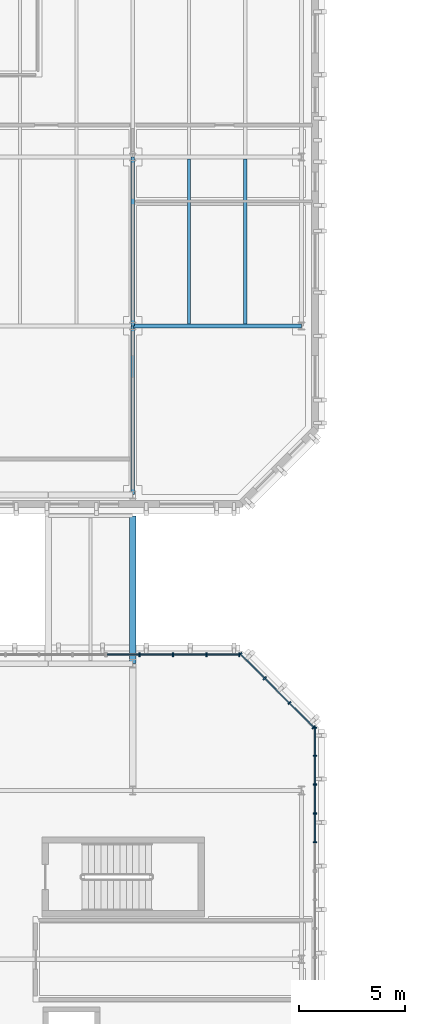
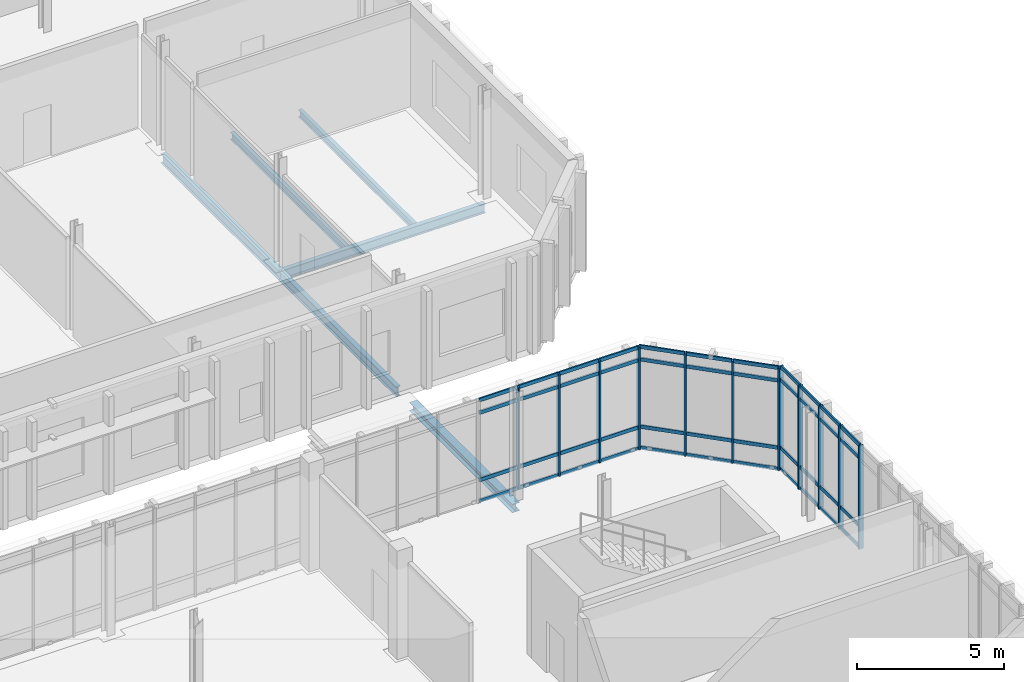
# One storey, part 20 of 62: 57 members, 6 beams, 3 elements without a shape of their own.
"""IFC4 building model written with IfcOpenShell, lengths in metres."""

from ifc_helpers import new_model, si_unit, direction, frame, origin, origin_2d, place, context, subcontext, project, spatial, rectangle, i_section, extrude, material, material_profile, profile_set, type_object, element, aggregate, save


model = new_model("IFC4")

# Units and contexts
model_context = context("Model", 3, precision=1e-05, world=origin(), true_north=direction((0.0, 1.0)))
body_context = subcontext(model_context, "Body", "Model", "MODEL_VIEW")
ifc_project = project(units=[si_unit("LENGTHUNIT", "METRE"), si_unit("AREAUNIT", "SQUARE_METRE"), si_unit("VOLUMEUNIT", "CUBIC_METRE"), si_unit("PLANEANGLEUNIT", "RADIAN"), si_unit("MASSUNIT", "GRAM", prefix="KILO")], contexts=[model_context])

# Site, building, storey
site_placement = place(None, origin())
site = spatial("IfcSite", under=ifc_project, at=site_placement, CompositionType="ELEMENT")
building_placement = place(site_placement, origin())
building = spatial("IfcBuilding", under=site, at=building_placement, Name="Cymarion Research Institute", CompositionType="ELEMENT")
storey_placement = place(building_placement, frame((0.0, 0.0, 18.300048828125)))
storey = spatial("IfcBuildingStorey", under=building, at=storey_placement, Name="L04", CompositionType="ELEMENT", Elevation=18.300048828125)

# Curtain wall, members
ifc_material_1 = material(Name="Anodised aluminium unitised curtain wall with Low-E glazing", Category="aluminium")
curtain_wall_type_1 = type_object("IfcCurtainWallType", Name="UNITISED CURTAIN WALL CW40 6820X4280", PredefinedType="NOTDEFINED", material=ifc_material_1)
curtain_wall_1_placement = place(storey_placement, origin())
curtain_wall_1 = element("IfcCurtainWall", 1, at=curtain_wall_1_placement, inside=storey, type_object=curtain_wall_type_1, Name="L04 V4 unitised curtain wall CW40 #180", PredefinedType="NOTDEFINED")
ifc_material_2 = material(Name="Anodised aluminium framing", Category="aluminium")
ifc_material_profile_1 = material_profile(ifc_material_2, rectangle(XDim=0.06005859375, YDim=0.179931640625, at=origin_2d()), Name="ALU MULLION 60x180")
ifc_profile_set_1 = profile_set([ifc_material_profile_1], Name="Anodised aluminium framing")
member_type_1 = type_object("IfcMemberType", Name="CURTAIN WALL MULLION ML01 60X180", PredefinedType="MULLION", material=ifc_profile_set_1)
member_1_placement = place(storey_placement, frame((47.22998046875, 69.04443359375, 0.0), z_axis=(0.0, 0.0, 1.0), x_axis=(0.0, 1.0, 0.0)))
member_1 = element("IfcMember", 2, at=member_1_placement, type_object=member_type_1, Name="CW40 mullion 2", PredefinedType="MULLION", context=body_context, shape_type="SweptSolid", body=[
    extrude(rectangle(XDim=0.06005859375, YDim=0.179931640625, at=origin_2d()), origin(), (0.0, 0.0, 1.0), 4.280029296875),
])
member_2_placement = place(storey_placement, frame((47.22998046875, 70.408203125, 0.0), z_axis=(0.0, 0.0, 1.0), x_axis=(0.0, 1.0, 0.0)))
member_2 = element("IfcMember", 3, at=member_2_placement, type_object=member_type_1, Name="CW40 mullion 3", PredefinedType="MULLION", context=body_context, shape_type="SweptSolid", body=[
    extrude(rectangle(XDim=0.06005859375, YDim=0.179931640625, at=origin_2d()), origin(), (0.0, 0.0, 1.0), 4.280029296875),
])
member_3_placement = place(storey_placement, frame((47.22998046875, 71.772216796875, 0.0), z_axis=(0.0, 0.0, 1.0), x_axis=(0.0, 1.0, 0.0)))
member_3 = element("IfcMember", 4, at=member_3_placement, type_object=member_type_1, Name="CW40 mullion 4", PredefinedType="MULLION", context=body_context, shape_type="SweptSolid", body=[
    extrude(rectangle(XDim=0.06005859375, YDim=0.179931640625, at=origin_2d()), origin(), (0.0, 0.0, 1.0), 4.280029296875),
])
member_4_placement = place(storey_placement, frame((47.22998046875, 73.135986328125, 0.0), z_axis=(0.0, 0.0, 1.0), x_axis=(0.0, 1.0, 0.0)))
member_4 = element("IfcMember", 5, at=member_4_placement, type_object=member_type_1, Name="CW40 mullion 5", PredefinedType="MULLION", context=body_context, shape_type="SweptSolid", body=[
    extrude(rectangle(XDim=0.06005859375, YDim=0.179931640625, at=origin_2d()), origin(), (0.0, 0.0, 1.0), 4.280029296875),
])
member_5_placement = place(storey_placement, frame((47.22998046875, 74.469970703125, 0.0), z_axis=(0.0, 0.0, 1.0), x_axis=(0.0, 1.0, 0.0)))
member_5 = element("IfcMember", 6, at=member_5_placement, type_object=member_type_1, Name="CW40 mullion 6", PredefinedType="MULLION", context=body_context, shape_type="SweptSolid", body=[
    extrude(rectangle(XDim=0.06005859375, YDim=0.179931640625, at=origin_2d()), origin(), (0.0, 0.0, 1.0), 4.280029296875),
])

curtain_wall_type_2 = type_object("IfcCurtainWallType", Name="UNITISED CURTAIN WALL CW41 4970X4240", PredefinedType="NOTDEFINED", material=ifc_material_1)
curtain_wall_2_placement = place(storey_placement, origin())
curtain_wall_2 = element("IfcCurtainWall", 7, at=curtain_wall_2_placement, inside=storey, type_object=curtain_wall_type_2, Name="L04 V4 unitised curtain wall CW41 #181", PredefinedType="NOTDEFINED")
member_6_placement = place(storey_placement, frame((47.171630859375, 74.48779296875, 0.0), z_axis=(0.0, 0.0, 1.0), x_axis=(-0.707096717405, 0.707116844825, 0.0)))
member_6 = element("IfcMember", 8, at=member_6_placement, type_object=member_type_1, Name="CW41 mullion 1", PredefinedType="MULLION", context=body_context, shape_type="SweptSolid", body=[
    extrude(rectangle(XDim=0.06005859375, YDim=0.179931640625, at=origin_2d()), origin(), (0.0, 0.0, 1.0), 4.239990234375),
])
member_7_placement = place(storey_placement, frame((46.02197265625, 75.6376953125, 0.0), z_axis=(0.0, 0.0, 1.0), x_axis=(-0.707096717405, 0.707116844825, 0.0)))
member_7 = element("IfcMember", 9, at=member_7_placement, type_object=member_type_1, Name="CW41 mullion 2", PredefinedType="MULLION", context=body_context, shape_type="SweptSolid", body=[
    extrude(rectangle(XDim=0.06005859375, YDim=0.179931640625, at=origin_2d()), origin(), (0.0, 0.0, 1.0), 4.239990234375),
])
member_8_placement = place(storey_placement, frame((44.850830078125, 76.808837890625, 0.0), z_axis=(0.0, 0.0, 1.0), x_axis=(-0.707096717405, 0.707116844825, 0.0)))
member_8 = element("IfcMember", 10, at=member_8_placement, type_object=member_type_1, Name="CW41 mullion 3", PredefinedType="MULLION", context=body_context, shape_type="SweptSolid", body=[
    extrude(rectangle(XDim=0.06005859375, YDim=0.179931640625, at=origin_2d()), origin(), (0.0, 0.0, 1.0), 4.239990234375),
])
member_9_placement = place(storey_placement, frame((43.700927734375, 77.95849609375, 0.0), z_axis=(0.0, 0.0, 1.0), x_axis=(-0.707096717405, 0.707116844825, 0.0)))
member_9 = element("IfcMember", 11, at=member_9_placement, type_object=member_type_1, Name="CW41 mullion 4", PredefinedType="MULLION", context=body_context, shape_type="SweptSolid", body=[
    extrude(rectangle(XDim=0.06005859375, YDim=0.179931640625, at=origin_2d()), origin(), (0.0, 0.0, 1.0), 4.239990234375),
])

curtain_wall_type_3 = type_object("IfcCurtainWallType", Name="UNITISED CURTAIN WALL CW42 6350X4240", PredefinedType="NOTDEFINED", material=ifc_material_1)
curtain_wall_3_placement = place(storey_placement, origin())
curtain_wall_3 = element("IfcCurtainWall", 12, at=curtain_wall_3_placement, inside=storey, type_object=curtain_wall_type_3, Name="L04 V4 unitised curtain wall CW42 #182", PredefinedType="NOTDEFINED")
member_10_placement = place(storey_placement, frame((43.647216796875, 77.929931640625, 0.0), z_axis=(0.0, 0.0, 1.0), x_axis=(-1.0, 0.0, 0.0)))
member_10 = element("IfcMember", 13, at=member_10_placement, type_object=member_type_1, Name="CW42 mullion 1", PredefinedType="MULLION", context=body_context, shape_type="SweptSolid", body=[
    extrude(rectangle(XDim=0.06005859375, YDim=0.179931640625, at=origin_2d()), origin(), (0.0, 0.0, 1.0), 4.239990234375),
])
member_11_placement = place(storey_placement, frame((42.090576171875, 77.929931640625, 0.0), z_axis=(0.0, 0.0, 1.0), x_axis=(-1.0, 0.0, 0.0)))
member_11 = element("IfcMember", 14, at=member_11_placement, type_object=member_type_1, Name="CW42 mullion 2", PredefinedType="MULLION", context=body_context, shape_type="SweptSolid", body=[
    extrude(rectangle(XDim=0.06005859375, YDim=0.179931640625, at=origin_2d()), origin(), (0.0, 0.0, 1.0), 4.239990234375),
])
member_12_placement = place(storey_placement, frame((40.504150390625, 77.929931640625, 0.0), z_axis=(0.0, 0.0, 1.0), x_axis=(-1.0, 0.0, 0.0)))
member_12 = element("IfcMember", 15, at=member_12_placement, type_object=member_type_1, Name="CW42 mullion 3", PredefinedType="MULLION", context=body_context, shape_type="SweptSolid", body=[
    extrude(rectangle(XDim=0.06005859375, YDim=0.179931640625, at=origin_2d()), origin(), (0.0, 0.0, 1.0), 4.239990234375),
])
member_13_placement = place(storey_placement, frame((38.91748046875, 77.929931640625, 0.0), z_axis=(0.0, 0.0, 1.0), x_axis=(-1.0, 0.0, 0.0)))
member_13 = element("IfcMember", 16, at=member_13_placement, type_object=member_type_1, Name="CW42 mullion 4", PredefinedType="MULLION", context=body_context, shape_type="SweptSolid", body=[
    extrude(rectangle(XDim=0.06005859375, YDim=0.179931640625, at=origin_2d()), origin(), (0.0, 0.0, 1.0), 4.239990234375),
])

# Member
ifc_material_profile_2 = material_profile(ifc_material_2, rectangle(XDim=0.06005859375, YDim=0.14990234375, at=origin_2d()), Name="ALU TRANSOM 60x150")
ifc_profile_set_2 = profile_set([ifc_material_profile_2], Name="Anodised aluminium framing")
member_type_2 = type_object("IfcMemberType", Name="CURTAIN WALL TRANSOM TR01 60X150", PredefinedType="USERDEFINED", material=ifc_profile_set_2)
member_14_placement = place(storey_placement, frame((47.22998046875, 69.074462890625, 0.030029296875), z_axis=(0.0, 1.0, 0.0), x_axis=(-1.0, 0.0, 0.0)))
member_14 = element("IfcMember", 17, at=member_14_placement, type_object=member_type_2, Name="CW40 transom 2.1", ObjectType="TRANSOM", PredefinedType="USERDEFINED", context=body_context, shape_type="SweptSolid", body=[
    extrude(rectangle(XDim=0.06005859375, YDim=0.14990234375, at=origin_2d()), origin(), (0.0, 0.0, 1.0), 1.303955078125),
])

member_15_placement = place(storey_placement, frame((47.22998046875, 69.074462890625, 0.89990234375), z_axis=(0.0, 1.0, 0.0), x_axis=(-1.0, 0.0, 0.0)))
member_15 = element("IfcMember", 18, at=member_15_placement, type_object=member_type_2, Name="CW40 transom 2.2", ObjectType="TRANSOM", PredefinedType="USERDEFINED", context=body_context, shape_type="SweptSolid", body=[
    extrude(rectangle(XDim=0.06005859375, YDim=0.14990234375, at=origin_2d()), origin(), (0.0, 0.0, 1.0), 1.303955078125),
])

member_16_placement = place(storey_placement, frame((47.22998046875, 69.074462890625, 3.72998046875), z_axis=(0.0, 1.0, 0.0), x_axis=(-1.0, 0.0, 0.0)))
member_16 = element("IfcMember", 19, at=member_16_placement, type_object=member_type_2, Name="CW40 transom 2.3", ObjectType="TRANSOM", PredefinedType="USERDEFINED", context=body_context, shape_type="SweptSolid", body=[
    extrude(rectangle(XDim=0.06005859375, YDim=0.14990234375, at=origin_2d()), origin(), (0.0, 0.0, 1.0), 1.303955078125),
])

member_17_placement = place(storey_placement, frame((47.22998046875, 69.074462890625, 4.25), z_axis=(0.0, 1.0, 0.0), x_axis=(-1.0, 0.0, 0.0)))
member_17 = element("IfcMember", 20, at=member_17_placement, type_object=member_type_2, Name="CW40 transom 2.4", ObjectType="TRANSOM", PredefinedType="USERDEFINED", context=body_context, shape_type="SweptSolid", body=[
    extrude(rectangle(XDim=0.06005859375, YDim=0.14990234375, at=origin_2d()), origin(), (0.0, 0.0, 1.0), 1.303955078125),
])

member_18_placement = place(storey_placement, frame((47.22998046875, 70.438232421875, 0.030029296875), z_axis=(0.0, 1.0, 0.0), x_axis=(-1.0, 0.0, 0.0)))
member_18 = element("IfcMember", 21, at=member_18_placement, type_object=member_type_2, Name="CW40 transom 3.1", ObjectType="TRANSOM", PredefinedType="USERDEFINED", context=body_context, shape_type="SweptSolid", body=[
    extrude(rectangle(XDim=0.06005859375, YDim=0.14990234375, at=origin_2d()), origin(), (0.0, 0.0, 1.0), 1.303955078125),
])

member_19_placement = place(storey_placement, frame((47.22998046875, 70.438232421875, 0.89990234375), z_axis=(0.0, 1.0, 0.0), x_axis=(-1.0, 0.0, 0.0)))
member_19 = element("IfcMember", 22, at=member_19_placement, type_object=member_type_2, Name="CW40 transom 3.2", ObjectType="TRANSOM", PredefinedType="USERDEFINED", context=body_context, shape_type="SweptSolid", body=[
    extrude(rectangle(XDim=0.06005859375, YDim=0.14990234375, at=origin_2d()), origin(), (0.0, 0.0, 1.0), 1.303955078125),
])

member_20_placement = place(storey_placement, frame((47.22998046875, 70.438232421875, 3.72998046875), z_axis=(0.0, 1.0, 0.0), x_axis=(-1.0, 0.0, 0.0)))
member_20 = element("IfcMember", 23, at=member_20_placement, type_object=member_type_2, Name="CW40 transom 3.3", ObjectType="TRANSOM", PredefinedType="USERDEFINED", context=body_context, shape_type="SweptSolid", body=[
    extrude(rectangle(XDim=0.06005859375, YDim=0.14990234375, at=origin_2d()), origin(), (0.0, 0.0, 1.0), 1.303955078125),
])

member_21_placement = place(storey_placement, frame((47.22998046875, 70.438232421875, 4.25), z_axis=(0.0, 1.0, 0.0), x_axis=(-1.0, 0.0, 0.0)))
member_21 = element("IfcMember", 24, at=member_21_placement, type_object=member_type_2, Name="CW40 transom 3.4", ObjectType="TRANSOM", PredefinedType="USERDEFINED", context=body_context, shape_type="SweptSolid", body=[
    extrude(rectangle(XDim=0.06005859375, YDim=0.14990234375, at=origin_2d()), origin(), (0.0, 0.0, 1.0), 1.303955078125),
])

member_22_placement = place(storey_placement, frame((47.22998046875, 71.80224609375, 0.030029296875), z_axis=(0.0, 1.0, 0.0), x_axis=(-1.0, 0.0, 0.0)))
member_22 = element("IfcMember", 25, at=member_22_placement, type_object=member_type_2, Name="CW40 transom 4.1", ObjectType="TRANSOM", PredefinedType="USERDEFINED", context=body_context, shape_type="SweptSolid", body=[
    extrude(rectangle(XDim=0.06005859375, YDim=0.14990234375, at=origin_2d()), origin(), (0.0, 0.0, 1.0), 1.303955078125),
])

member_23_placement = place(storey_placement, frame((47.22998046875, 71.80224609375, 0.89990234375), z_axis=(0.0, 1.0, 0.0), x_axis=(-1.0, 0.0, 0.0)))
member_23 = element("IfcMember", 26, at=member_23_placement, type_object=member_type_2, Name="CW40 transom 4.2", ObjectType="TRANSOM", PredefinedType="USERDEFINED", context=body_context, shape_type="SweptSolid", body=[
    extrude(rectangle(XDim=0.06005859375, YDim=0.14990234375, at=origin_2d()), origin(), (0.0, 0.0, 1.0), 1.303955078125),
])

member_24_placement = place(storey_placement, frame((47.22998046875, 71.80224609375, 3.72998046875), z_axis=(0.0, 1.0, 0.0), x_axis=(-1.0, 0.0, 0.0)))
member_24 = element("IfcMember", 27, at=member_24_placement, type_object=member_type_2, Name="CW40 transom 4.3", ObjectType="TRANSOM", PredefinedType="USERDEFINED", context=body_context, shape_type="SweptSolid", body=[
    extrude(rectangle(XDim=0.06005859375, YDim=0.14990234375, at=origin_2d()), origin(), (0.0, 0.0, 1.0), 1.303955078125),
])

member_25_placement = place(storey_placement, frame((47.22998046875, 71.80224609375, 4.25), z_axis=(0.0, 1.0, 0.0), x_axis=(-1.0, 0.0, 0.0)))
member_25 = element("IfcMember", 28, at=member_25_placement, type_object=member_type_2, Name="CW40 transom 4.4", ObjectType="TRANSOM", PredefinedType="USERDEFINED", context=body_context, shape_type="SweptSolid", body=[
    extrude(rectangle(XDim=0.06005859375, YDim=0.14990234375, at=origin_2d()), origin(), (0.0, 0.0, 1.0), 1.303955078125),
])

member_26_placement = place(storey_placement, frame((47.22998046875, 73.166015625, 0.030029296875), z_axis=(0.0, 1.0, 0.0), x_axis=(-1.0, 0.0, 0.0)))
member_26 = element("IfcMember", 29, at=member_26_placement, type_object=member_type_2, Name="CW40 transom 5.1", ObjectType="TRANSOM", PredefinedType="USERDEFINED", context=body_context, shape_type="SweptSolid", body=[
    extrude(rectangle(XDim=0.06005859375, YDim=0.14990234375, at=origin_2d()), origin(), (0.0, 0.0, 1.0), 1.27392578125),
])

member_27_placement = place(storey_placement, frame((47.22998046875, 73.166015625, 0.89990234375), z_axis=(0.0, 1.0, 0.0), x_axis=(-1.0, 0.0, 0.0)))
member_27 = element("IfcMember", 30, at=member_27_placement, type_object=member_type_2, Name="CW40 transom 5.2", ObjectType="TRANSOM", PredefinedType="USERDEFINED", context=body_context, shape_type="SweptSolid", body=[
    extrude(rectangle(XDim=0.06005859375, YDim=0.14990234375, at=origin_2d()), origin(), (0.0, 0.0, 1.0), 1.27392578125),
])

member_28_placement = place(storey_placement, frame((47.22998046875, 73.166015625, 3.72998046875), z_axis=(0.0, 1.0, 0.0), x_axis=(-1.0, 0.0, 0.0)))
member_28 = element("IfcMember", 31, at=member_28_placement, type_object=member_type_2, Name="CW40 transom 5.3", ObjectType="TRANSOM", PredefinedType="USERDEFINED", context=body_context, shape_type="SweptSolid", body=[
    extrude(rectangle(XDim=0.06005859375, YDim=0.14990234375, at=origin_2d()), origin(), (0.0, 0.0, 1.0), 1.27392578125),
])

member_29_placement = place(storey_placement, frame((47.22998046875, 73.166015625, 4.25), z_axis=(0.0, 1.0, 0.0), x_axis=(-1.0, 0.0, 0.0)))
member_29 = element("IfcMember", 32, at=member_29_placement, type_object=member_type_2, Name="CW40 transom 5.4", ObjectType="TRANSOM", PredefinedType="USERDEFINED", context=body_context, shape_type="SweptSolid", body=[
    extrude(rectangle(XDim=0.06005859375, YDim=0.14990234375, at=origin_2d()), origin(), (0.0, 0.0, 1.0), 1.27392578125),
])

aggregate(curtain_wall_1, [member_1, member_2, member_3, member_4, member_5, member_14, member_15, member_16, member_17, member_18, member_19, member_20, member_21, member_22, member_23, member_24, member_25, member_26, member_27, member_28, member_29])

member_30_placement = place(storey_placement, frame((47.150390625, 74.509033203125, 0.030029296875), z_axis=(-0.707106781187, 0.707106781187, 0.0), x_axis=(-0.707106781187, -0.707106781187, 0.0)))
member_30 = element("IfcMember", 33, at=member_30_placement, type_object=member_type_2, Name="CW41 transom 1.1", ObjectType="TRANSOM", PredefinedType="USERDEFINED", context=body_context, shape_type="SweptSolid", body=[
    extrude(rectangle(XDim=0.06005859375, YDim=0.14990234375, at=origin_2d()), origin(), (0.0, 0.0, 1.0), 1.566162109375),
])

member_31_placement = place(storey_placement, frame((47.150390625, 74.509033203125, 0.89990234375), z_axis=(-0.707106781187, 0.707106781187, 0.0), x_axis=(-0.707106781187, -0.707106781187, 0.0)))
member_31 = element("IfcMember", 34, at=member_31_placement, type_object=member_type_2, Name="CW41 transom 1.2", ObjectType="TRANSOM", PredefinedType="USERDEFINED", context=body_context, shape_type="SweptSolid", body=[
    extrude(rectangle(XDim=0.06005859375, YDim=0.14990234375, at=origin_2d()), origin(), (0.0, 0.0, 1.0), 1.566162109375),
])

member_32_placement = place(storey_placement, frame((47.150390625, 74.509033203125, 3.68994140625), z_axis=(-0.707106781187, 0.707106781187, 0.0), x_axis=(-0.707106781187, -0.707106781187, 0.0)))
member_32 = element("IfcMember", 35, at=member_32_placement, type_object=member_type_2, Name="CW41 transom 1.3", ObjectType="TRANSOM", PredefinedType="USERDEFINED", context=body_context, shape_type="SweptSolid", body=[
    extrude(rectangle(XDim=0.06005859375, YDim=0.14990234375, at=origin_2d()), origin(), (0.0, 0.0, 1.0), 1.566162109375),
])

member_33_placement = place(storey_placement, frame((47.150390625, 74.509033203125, 4.2099609375), z_axis=(-0.707106781187, 0.707106781187, 0.0), x_axis=(-0.707106781187, -0.707106781187, 0.0)))
member_33 = element("IfcMember", 36, at=member_33_placement, type_object=member_type_2, Name="CW41 transom 1.4", ObjectType="TRANSOM", PredefinedType="USERDEFINED", context=body_context, shape_type="SweptSolid", body=[
    extrude(rectangle(XDim=0.06005859375, YDim=0.14990234375, at=origin_2d()), origin(), (0.0, 0.0, 1.0), 1.566162109375),
])

member_34_placement = place(storey_placement, frame((46.000732421875, 75.658935546875, 0.030029296875), z_axis=(-0.707106781187, 0.707106781187, 0.0), x_axis=(-0.707106781187, -0.707106781187, 0.0)))
member_34 = element("IfcMember", 37, at=member_34_placement, type_object=member_type_2, Name="CW41 transom 2.1", ObjectType="TRANSOM", PredefinedType="USERDEFINED", context=body_context, shape_type="SweptSolid", body=[
    extrude(rectangle(XDim=0.06005859375, YDim=0.14990234375, at=origin_2d()), origin(), (0.0, 0.0, 1.0), 1.59619140625),
])

member_35_placement = place(storey_placement, frame((46.000732421875, 75.658935546875, 0.89990234375), z_axis=(-0.707106781187, 0.707106781187, 0.0), x_axis=(-0.707106781187, -0.707106781187, 0.0)))
member_35 = element("IfcMember", 38, at=member_35_placement, type_object=member_type_2, Name="CW41 transom 2.2", ObjectType="TRANSOM", PredefinedType="USERDEFINED", context=body_context, shape_type="SweptSolid", body=[
    extrude(rectangle(XDim=0.06005859375, YDim=0.14990234375, at=origin_2d()), origin(), (0.0, 0.0, 1.0), 1.59619140625),
])

member_36_placement = place(storey_placement, frame((46.000732421875, 75.658935546875, 3.68994140625), z_axis=(-0.707106781187, 0.707106781187, 0.0), x_axis=(-0.707106781187, -0.707106781187, 0.0)))
member_36 = element("IfcMember", 39, at=member_36_placement, type_object=member_type_2, Name="CW41 transom 2.3", ObjectType="TRANSOM", PredefinedType="USERDEFINED", context=body_context, shape_type="SweptSolid", body=[
    extrude(rectangle(XDim=0.06005859375, YDim=0.14990234375, at=origin_2d()), origin(), (0.0, 0.0, 1.0), 1.59619140625),
])

member_37_placement = place(storey_placement, frame((46.000732421875, 75.658935546875, 4.2099609375), z_axis=(-0.707106781187, 0.707106781187, 0.0), x_axis=(-0.707106781187, -0.707106781187, 0.0)))
member_37 = element("IfcMember", 40, at=member_37_placement, type_object=member_type_2, Name="CW41 transom 2.4", ObjectType="TRANSOM", PredefinedType="USERDEFINED", context=body_context, shape_type="SweptSolid", body=[
    extrude(rectangle(XDim=0.06005859375, YDim=0.14990234375, at=origin_2d()), origin(), (0.0, 0.0, 1.0), 1.59619140625),
])

member_38_placement = place(storey_placement, frame((44.82958984375, 76.829833984375, 0.030029296875), z_axis=(-0.707106781187, 0.707106781187, 0.0), x_axis=(-0.707106781187, -0.707106781187, 0.0)))
member_38 = element("IfcMember", 41, at=member_38_placement, type_object=member_type_2, Name="CW41 transom 3.1", ObjectType="TRANSOM", PredefinedType="USERDEFINED", context=body_context, shape_type="SweptSolid", body=[
    extrude(rectangle(XDim=0.06005859375, YDim=0.14990234375, at=origin_2d()), origin(), (0.0, 0.0, 1.0), 1.566162109375),
])

member_39_placement = place(storey_placement, frame((44.82958984375, 76.829833984375, 0.89990234375), z_axis=(-0.707106781187, 0.707106781187, 0.0), x_axis=(-0.707106781187, -0.707106781187, 0.0)))
member_39 = element("IfcMember", 42, at=member_39_placement, type_object=member_type_2, Name="CW41 transom 3.2", ObjectType="TRANSOM", PredefinedType="USERDEFINED", context=body_context, shape_type="SweptSolid", body=[
    extrude(rectangle(XDim=0.06005859375, YDim=0.14990234375, at=origin_2d()), origin(), (0.0, 0.0, 1.0), 1.566162109375),
])

member_40_placement = place(storey_placement, frame((44.82958984375, 76.829833984375, 3.68994140625), z_axis=(-0.707106781187, 0.707106781187, 0.0), x_axis=(-0.707106781187, -0.707106781187, 0.0)))
member_40 = element("IfcMember", 43, at=member_40_placement, type_object=member_type_2, Name="CW41 transom 3.3", ObjectType="TRANSOM", PredefinedType="USERDEFINED", context=body_context, shape_type="SweptSolid", body=[
    extrude(rectangle(XDim=0.06005859375, YDim=0.14990234375, at=origin_2d()), origin(), (0.0, 0.0, 1.0), 1.566162109375),
])

member_41_placement = place(storey_placement, frame((44.82958984375, 76.829833984375, 4.2099609375), z_axis=(-0.707106781187, 0.707106781187, 0.0), x_axis=(-0.707106781187, -0.707106781187, 0.0)))
member_41 = element("IfcMember", 44, at=member_41_placement, type_object=member_type_2, Name="CW41 transom 3.4", ObjectType="TRANSOM", PredefinedType="USERDEFINED", context=body_context, shape_type="SweptSolid", body=[
    extrude(rectangle(XDim=0.06005859375, YDim=0.14990234375, at=origin_2d()), origin(), (0.0, 0.0, 1.0), 1.566162109375),
])

aggregate(curtain_wall_2, [member_6, member_7, member_8, member_9, member_30, member_31, member_32, member_33, member_34, member_35, member_36, member_37, member_38, member_39, member_40, member_41])

member_42_placement = place(storey_placement, frame((43.6171875, 77.929931640625, 0.030029296875), z_axis=(-1.0, 0.0, 0.0), x_axis=(0.0, -1.0, 0.0)))
member_42 = element("IfcMember", 45, at=member_42_placement, type_object=member_type_2, Name="CW42 transom 1.1", ObjectType="TRANSOM", PredefinedType="USERDEFINED", context=body_context, shape_type="SweptSolid", body=[
    extrude(rectangle(XDim=0.06005859375, YDim=0.14990234375, at=origin_2d()), origin(), (0.0, 0.0, 1.0), 1.49658203125),
])

member_43_placement = place(storey_placement, frame((43.6171875, 77.929931640625, 0.89990234375), z_axis=(-1.0, 0.0, 0.0), x_axis=(0.0, -1.0, 0.0)))
member_43 = element("IfcMember", 46, at=member_43_placement, type_object=member_type_2, Name="CW42 transom 1.2", ObjectType="TRANSOM", PredefinedType="USERDEFINED", context=body_context, shape_type="SweptSolid", body=[
    extrude(rectangle(XDim=0.06005859375, YDim=0.14990234375, at=origin_2d()), origin(), (0.0, 0.0, 1.0), 1.49658203125),
])

member_44_placement = place(storey_placement, frame((43.6171875, 77.929931640625, 3.68994140625), z_axis=(-1.0, 0.0, 0.0), x_axis=(0.0, -1.0, 0.0)))
member_44 = element("IfcMember", 47, at=member_44_placement, type_object=member_type_2, Name="CW42 transom 1.3", ObjectType="TRANSOM", PredefinedType="USERDEFINED", context=body_context, shape_type="SweptSolid", body=[
    extrude(rectangle(XDim=0.06005859375, YDim=0.14990234375, at=origin_2d()), origin(), (0.0, 0.0, 1.0), 1.49658203125),
])

member_45_placement = place(storey_placement, frame((43.6171875, 77.929931640625, 4.2099609375), z_axis=(-1.0, 0.0, 0.0), x_axis=(0.0, -1.0, 0.0)))
member_45 = element("IfcMember", 48, at=member_45_placement, type_object=member_type_2, Name="CW42 transom 1.4", ObjectType="TRANSOM", PredefinedType="USERDEFINED", context=body_context, shape_type="SweptSolid", body=[
    extrude(rectangle(XDim=0.06005859375, YDim=0.14990234375, at=origin_2d()), origin(), (0.0, 0.0, 1.0), 1.49658203125),
])

member_46_placement = place(storey_placement, frame((42.060546875, 77.929931640625, 0.030029296875), z_axis=(-1.0, 0.0, 0.0), x_axis=(0.0, -1.0, 0.0)))
member_46 = element("IfcMember", 49, at=member_46_placement, type_object=member_type_2, Name="CW42 transom 2.1", ObjectType="TRANSOM", PredefinedType="USERDEFINED", context=body_context, shape_type="SweptSolid", body=[
    extrude(rectangle(XDim=0.06005859375, YDim=0.14990234375, at=origin_2d()), origin(), (0.0, 0.0, 1.0), 1.5263671875),
])

member_47_placement = place(storey_placement, frame((42.060546875, 77.929931640625, 0.89990234375), z_axis=(-1.0, 0.0, 0.0), x_axis=(0.0, -1.0, 0.0)))
member_47 = element("IfcMember", 50, at=member_47_placement, type_object=member_type_2, Name="CW42 transom 2.2", ObjectType="TRANSOM", PredefinedType="USERDEFINED", context=body_context, shape_type="SweptSolid", body=[
    extrude(rectangle(XDim=0.06005859375, YDim=0.14990234375, at=origin_2d()), origin(), (0.0, 0.0, 1.0), 1.5263671875),
])

member_48_placement = place(storey_placement, frame((42.060546875, 77.929931640625, 3.68994140625), z_axis=(-1.0, 0.0, 0.0), x_axis=(0.0, -1.0, 0.0)))
member_48 = element("IfcMember", 51, at=member_48_placement, type_object=member_type_2, Name="CW42 transom 2.3", ObjectType="TRANSOM", PredefinedType="USERDEFINED", context=body_context, shape_type="SweptSolid", body=[
    extrude(rectangle(XDim=0.06005859375, YDim=0.14990234375, at=origin_2d()), origin(), (0.0, 0.0, 1.0), 1.5263671875),
])

member_49_placement = place(storey_placement, frame((42.060546875, 77.929931640625, 4.2099609375), z_axis=(-1.0, 0.0, 0.0), x_axis=(0.0, -1.0, 0.0)))
member_49 = element("IfcMember", 52, at=member_49_placement, type_object=member_type_2, Name="CW42 transom 2.4", ObjectType="TRANSOM", PredefinedType="USERDEFINED", context=body_context, shape_type="SweptSolid", body=[
    extrude(rectangle(XDim=0.06005859375, YDim=0.14990234375, at=origin_2d()), origin(), (0.0, 0.0, 1.0), 1.5263671875),
])

member_50_placement = place(storey_placement, frame((40.47412109375, 77.929931640625, 0.030029296875), z_axis=(-1.0, 0.0, 0.0), x_axis=(0.0, -1.0, 0.0)))
member_50 = element("IfcMember", 53, at=member_50_placement, type_object=member_type_2, Name="CW42 transom 3.1", ObjectType="TRANSOM", PredefinedType="USERDEFINED", context=body_context, shape_type="SweptSolid", body=[
    extrude(rectangle(XDim=0.06005859375, YDim=0.14990234375, at=origin_2d()), origin(), (0.0, 0.0, 1.0), 1.526611328125),
])

member_51_placement = place(storey_placement, frame((40.47412109375, 77.929931640625, 0.89990234375), z_axis=(-1.0, 0.0, 0.0), x_axis=(0.0, -1.0, 0.0)))
member_51 = element("IfcMember", 54, at=member_51_placement, type_object=member_type_2, Name="CW42 transom 3.2", ObjectType="TRANSOM", PredefinedType="USERDEFINED", context=body_context, shape_type="SweptSolid", body=[
    extrude(rectangle(XDim=0.06005859375, YDim=0.14990234375, at=origin_2d()), origin(), (0.0, 0.0, 1.0), 1.526611328125),
])

member_52_placement = place(storey_placement, frame((40.47412109375, 77.929931640625, 3.68994140625), z_axis=(-1.0, 0.0, 0.0), x_axis=(0.0, -1.0, 0.0)))
member_52 = element("IfcMember", 55, at=member_52_placement, type_object=member_type_2, Name="CW42 transom 3.3", ObjectType="TRANSOM", PredefinedType="USERDEFINED", context=body_context, shape_type="SweptSolid", body=[
    extrude(rectangle(XDim=0.06005859375, YDim=0.14990234375, at=origin_2d()), origin(), (0.0, 0.0, 1.0), 1.526611328125),
])

member_53_placement = place(storey_placement, frame((40.47412109375, 77.929931640625, 4.2099609375), z_axis=(-1.0, 0.0, 0.0), x_axis=(0.0, -1.0, 0.0)))
member_53 = element("IfcMember", 56, at=member_53_placement, type_object=member_type_2, Name="CW42 transom 3.4", ObjectType="TRANSOM", PredefinedType="USERDEFINED", context=body_context, shape_type="SweptSolid", body=[
    extrude(rectangle(XDim=0.06005859375, YDim=0.14990234375, at=origin_2d()), origin(), (0.0, 0.0, 1.0), 1.526611328125),
])

member_54_placement = place(storey_placement, frame((38.887451171875, 77.929931640625, 0.030029296875), z_axis=(-1.0, 0.0, 0.0), x_axis=(0.0, -1.0, 0.0)))
member_54 = element("IfcMember", 57, at=member_54_placement, type_object=member_type_2, Name="CW42 transom 4.1", ObjectType="TRANSOM", PredefinedType="USERDEFINED", context=body_context, shape_type="SweptSolid", body=[
    extrude(rectangle(XDim=0.06005859375, YDim=0.14990234375, at=origin_2d()), origin(), (0.0, 0.0, 1.0), 1.496337890625),
])

member_55_placement = place(storey_placement, frame((38.887451171875, 77.929931640625, 0.89990234375), z_axis=(-1.0, 0.0, 0.0), x_axis=(0.0, -1.0, 0.0)))
member_55 = element("IfcMember", 58, at=member_55_placement, type_object=member_type_2, Name="CW42 transom 4.2", ObjectType="TRANSOM", PredefinedType="USERDEFINED", context=body_context, shape_type="SweptSolid", body=[
    extrude(rectangle(XDim=0.06005859375, YDim=0.14990234375, at=origin_2d()), origin(), (0.0, 0.0, 1.0), 1.496337890625),
])

member_56_placement = place(storey_placement, frame((38.887451171875, 77.929931640625, 3.68994140625), z_axis=(-1.0, 0.0, 0.0), x_axis=(0.0, -1.0, 0.0)))
member_56 = element("IfcMember", 59, at=member_56_placement, type_object=member_type_2, Name="CW42 transom 4.3", ObjectType="TRANSOM", PredefinedType="USERDEFINED", context=body_context, shape_type="SweptSolid", body=[
    extrude(rectangle(XDim=0.06005859375, YDim=0.14990234375, at=origin_2d()), origin(), (0.0, 0.0, 1.0), 1.496337890625),
])

member_57_placement = place(storey_placement, frame((38.887451171875, 77.929931640625, 4.2099609375), z_axis=(-1.0, 0.0, 0.0), x_axis=(0.0, -1.0, 0.0)))
member_57 = element("IfcMember", 60, at=member_57_placement, type_object=member_type_2, Name="CW42 transom 4.4", ObjectType="TRANSOM", PredefinedType="USERDEFINED", context=body_context, shape_type="SweptSolid", body=[
    extrude(rectangle(XDim=0.06005859375, YDim=0.14990234375, at=origin_2d()), origin(), (0.0, 0.0, 1.0), 1.496337890625),
])

aggregate(curtain_wall_3, [member_10, member_11, member_12, member_13, member_42, member_43, member_44, member_45, member_46, member_47, member_48, member_49, member_50, member_51, member_52, member_53, member_54, member_55, member_56, member_57])

# Beams
ifc_material_3 = material(Name="Steel S355", Category="steel")
ifc_material_profile_3 = material_profile(ifc_material_3, i_section(OverallWidth=0.179931640625, OverallDepth=0.39990234375, WebThickness=0.008544921875, FlangeThickness=0.013427734375, FilletRadius=0.02099609375, at=origin_2d()), Name="IPE 400")
ifc_profile_set_3 = profile_set([ifc_material_profile_3], Name="Steel S355")
beam_type_1 = type_object("IfcBeamType", Name="PRIMARY GIRDER BM05 IPE 400", PredefinedType="BEAM", material=ifc_profile_set_3)
beam_1_placement = place(storey_placement, frame((38.60595703125, 93.5, -0.449951171875), z_axis=(1.0, 0.0, 0.0), x_axis=(0.0, 1.0, 0.0)))
element("IfcBeam", 61, at=beam_1_placement, inside=storey, type_object=beam_type_1, Name="L04 V5 girder BM05 #1783", PredefinedType="BEAM", context=body_context, shape_type="SweptSolid", body=[
    extrude(i_section(OverallWidth=0.179931640625, OverallDepth=0.39990234375, WebThickness=0.008544921875, FlangeThickness=0.013427734375, FilletRadius=0.02099609375, at=origin_2d()), origin(), (0.0, 0.0, 1.0), 7.988037109375),
])
for number, where, z_axis, x_axis, name in (
    (62, (38.60009765625, 85.506103515625, -0.449951171875), (0.0, 1.0, 0.0), (-1.0, 0.0, 0.0), "L04 V5 girder BM05 #1811"),
    (63, (38.60009765625, 93.506103515625, -0.449951171875), (0.0, 1.0, 0.0), (-1.0, 0.0, 0.0), "L04 V5 girder BM05 #1812"),
):
    element("IfcBeam", number, at=place(storey_placement, frame(where, z_axis=z_axis, x_axis=x_axis)), inside=storey, type_object=beam_type_1, Name=name, PredefinedType="BEAM", context=body_context, shape_type="SweptSolid", body=[
        extrude(i_section(OverallWidth=0.179931640625, OverallDepth=0.39990234375, WebThickness=0.008544921875, FlangeThickness=0.013427734375, FilletRadius=0.02099609375, at=origin_2d()), origin(), (0.0, 0.0, 1.0), 7.98779296875),
    ])
ifc_material_profile_4 = material_profile(ifc_material_3, i_section(OverallWidth=0.300048828125, OverallDepth=0.35009765625, WebThickness=0.010009765625, FlangeThickness=0.017578125, FilletRadius=0.027099609375, at=origin_2d()), Name="HEA 360")
ifc_profile_set_4 = profile_set([ifc_material_profile_4], Name="Steel S355")
beam_type_2 = type_object("IfcBeamType", Name="PRIMARY GIRDER BM12 HEA 360", PredefinedType="BEAM", material=ifc_profile_set_4)
beam_2_placement = place(storey_placement, frame((38.60009765625, 77.506103515625, -0.4150390625), z_axis=(0.0, 1.0, 0.0), x_axis=(-1.0, 0.0, 0.0)))
element("IfcBeam", 64, at=beam_2_placement, inside=storey, type_object=beam_type_2, Name="L04 V4 girder BM12 #1745", PredefinedType="BEAM", context=body_context, shape_type="SweptSolid", body=[
    extrude(i_section(OverallWidth=0.300048828125, OverallDepth=0.35009765625, WebThickness=0.010009765625, FlangeThickness=0.017578125, FilletRadius=0.027099609375, at=origin_2d()), origin(), (0.0, 0.0, 1.0), 6.98779296875),
])
ifc_material_profile_5 = material_profile(ifc_material_3, i_section(OverallWidth=0.14990234375, OverallDepth=0.300048828125, WebThickness=0.007080078125, FlangeThickness=0.0107421875, FilletRadius=0.014892578125, at=origin_2d()), Name="IPE 300")
ifc_profile_set_5 = profile_set([ifc_material_profile_5], Name="Steel S355")
beam_type_3 = type_object("IfcBeamType", Name="SECONDARY JOIST JS02 IPE 300", PredefinedType="JOIST", material=ifc_profile_set_5)
for number, where, z_axis, x_axis, name in (
    (65, (41.2666015625, 93.593994140625, -0.400146484375), (0.0, 1.0, 0.0), (-1.0, 0.0, 0.0), "L04 V5 secondary joist JS02 #1827"),
    (66, (43.933349609375, 93.593994140625, -0.400146484375), (0.0, 1.0, 0.0), (-1.0, 0.0, 0.0), "L04 V5 secondary joist JS02 #1828"),
):
    element("IfcBeam", number, at=place(storey_placement, frame(where, z_axis=z_axis, x_axis=x_axis)), inside=storey, type_object=beam_type_3, Name=name, PredefinedType="JOIST", context=body_context, shape_type="SweptSolid", body=[
        extrude(i_section(OverallWidth=0.14990234375, OverallDepth=0.300048828125, WebThickness=0.007080078125, FlangeThickness=0.0107421875, FilletRadius=0.014892578125, at=origin_2d()), origin(), (0.0, 0.0, 1.0), 7.81201171875),
    ])

save(model, "model.ifc")
